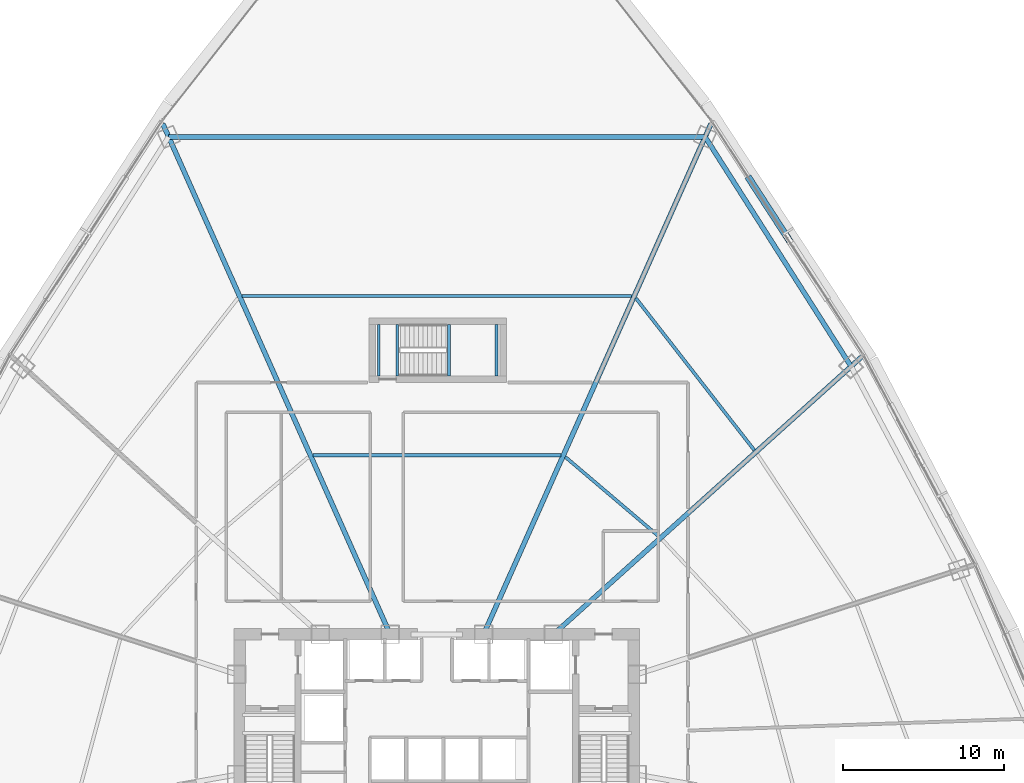
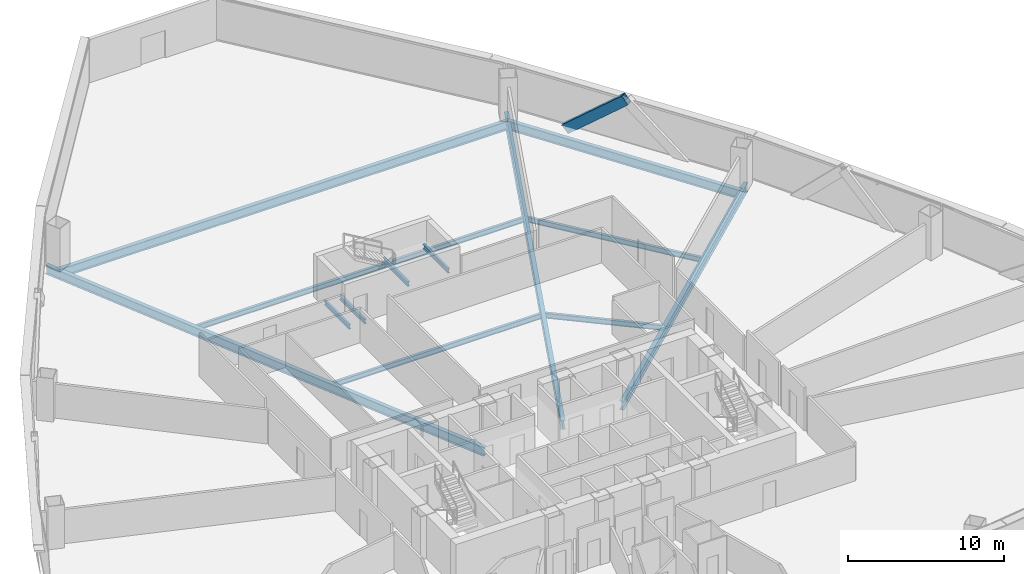
# One storey, part 19 of 40: 13 beams, 1 member.
"""IFC4 building model written with IfcOpenShell, lengths in metres."""

from ifc_helpers import new_model, si_unit, direction, frame, origin, origin_2d, place, context, subcontext, project, spatial, hollow_rectangle, i_section, extrude, source, transform, mapped, material, material_profile, profile_set, type_object, element, save


model = new_model("IFC4")

# Units and contexts
model_context = context("Model", 3, precision=1e-05, world=origin(), true_north=direction((0.0, 1.0)))
body_context = subcontext(model_context, "Body", "Model", "MODEL_VIEW")
ifc_project = project(units=[si_unit("LENGTHUNIT", "METRE"), si_unit("AREAUNIT", "SQUARE_METRE"), si_unit("VOLUMEUNIT", "CUBIC_METRE"), si_unit("PLANEANGLEUNIT", "RADIAN"), si_unit("MASSUNIT", "GRAM", prefix="KILO"), si_unit("THERMODYNAMICTEMPERATUREUNIT", "KELVIN"), si_unit("POWERUNIT", "WATT")], contexts=[model_context])

# Site, building, storey
site_placement = place(None, origin())
site = spatial("IfcSite", under=ifc_project, at=site_placement, CompositionType="ELEMENT")
building_placement = place(site_placement, origin())
building = spatial("IfcBuilding", under=site, at=building_placement, Name="Yunzhuo Pagoda Commons", CompositionType="ELEMENT")
storey_placement = place(building_placement, frame((0.0, 0.0, 66.699951171875)))
storey = spatial("IfcBuildingStorey", under=building, at=storey_placement, Name="L17", CompositionType="ELEMENT", Elevation=66.699951171875)

# Beams
ifc_material_1 = material(Name="Structural steel Q355B", Category="steel")
ifc_material_profile_1 = material_profile(ifc_material_1, i_section(OverallWidth=0.175048828125, OverallDepth=0.35009765625, WebThickness=0.007080078125, FlangeThickness=0.010986328125, at=origin_2d()), Name="Structural steel Q355B")
ifc_profile_set_1 = profile_set([ifc_material_profile_1], Name="Structural steel Q355B")
beam_type_1 = type_object("IfcBeamType", Name="B-JS2 Joist HN 350x175x7x11", PredefinedType="JOIST", material=ifc_profile_set_1)
shared_shape_1 = source(origin(), body_context, "Body", "SweptSolid", [
    extrude(i_section(OverallWidth=0.175048828125, OverallDepth=0.35009765625, WebThickness=0.007080078125, FlangeThickness=0.010986328125, at=origin_2d()), origin(), (0.0, 0.0, 1.0), 3.199951171875),
])
for number, where, z_axis, x_axis, name in (
    (1, (48.75, 56.199951171875, 1.43994140625), (0.0, 1.0, 0.0), (-1.0, 0.0, 0.0), "L17 ST3 landing support beam 21A"),
    (2, (51.699951171875, 56.199951171875, 1.43994140625), (0.0, 1.0, 0.0), (-1.0, 0.0, 0.0), "L17 ST3 landing support beam 21B"),
    (3, (44.39990234375, 56.199951171875, -0.375), (0.0, 1.0, 0.0), (-1.0, 0.0, 0.0), "L17 ST3 landing support beam 91A"),
    (4, (45.550048828125, 56.199951171875, -0.375), (0.0, 1.0, 0.0), (-1.0, 0.0, 0.0), "L17 ST3 landing support beam 91B"),
):
    element("IfcBeam", number, at=place(storey_placement, frame(where, z_axis=z_axis, x_axis=x_axis)), inside=storey, type_object=beam_type_1, Name=name, PredefinedType="JOIST", context=body_context, shape_type="MappedRepresentation", body=[
        mapped(shared_shape_1, transform((0.0, 0.0, 0.0), scale=1.0)),
    ])
ifc_material_profile_2 = material_profile(ifc_material_1, i_section(OverallWidth=0.300048828125, OverallDepth=0.699951171875, WebThickness=0.012939453125, FlangeThickness=0.02392578125, at=origin_2d()), Name="Structural steel Q355B")
ifc_profile_set_2 = profile_set([ifc_material_profile_2], Name="Structural steel Q355B")
beam_type_2 = type_object("IfcBeamType", Name="B-RG1 Beam HN 700x300x13x24", PredefinedType="BEAM", material=ifc_profile_set_2)
shared_shape_2 = source(origin(), body_context, "Body", "SweptSolid", [
    extrude(i_section(OverallWidth=0.300048828125, OverallDepth=0.699951171875, WebThickness=0.012939453125, FlangeThickness=0.02392578125, at=origin_2d()), origin(), (0.0, 0.0, 1.0), 16.843994140625),
])
beam_1_placement = place(storey_placement, frame((73.648681640625, 56.79443359375, -0.60986328125), z_axis=(-0.536558458992, 0.843863152462, 0.0), x_axis=(-0.843863152462, -0.536558458992, 0.0)))
element("IfcBeam", 5, at=beam_1_placement, inside=storey, type_object=beam_type_2, Name="L17 column-ring beam 7", PredefinedType="BEAM", context=body_context, shape_type="MappedRepresentation", body=[
    mapped(shared_shape_2, transform((0.0, 0.0, 0.0), scale=1.0)),
])
shared_shape_3 = source(origin(), body_context, "Body", "SweptSolid", [
    extrude(i_section(OverallWidth=0.300048828125, OverallDepth=0.699951171875, WebThickness=0.012939453125, FlangeThickness=0.02392578125, at=origin_2d()), origin(), (0.0, 0.0, 1.0), 33.2216796875),
])
beam_2_placement = place(storey_placement, frame((64.61083984375, 71.008544921875, -0.60986328125), z_axis=(-1.0, 0.0, 0.0), x_axis=(0.0, -1.0, 0.0)))
element("IfcBeam", 6, at=beam_2_placement, inside=storey, type_object=beam_type_2, Name="L17 column-ring beam 8", PredefinedType="BEAM", context=body_context, shape_type="MappedRepresentation", body=[
    mapped(shared_shape_3, transform((0.0, 0.0, 0.0), scale=1.0)),
])
ifc_material_profile_3 = material_profile(ifc_material_1, i_section(OverallWidth=0.199951171875, OverallDepth=0.39990234375, WebThickness=0.008056640625, FlangeThickness=0.012939453125, at=origin_2d()), Name="Structural steel Q355B")
ifc_profile_set_3 = profile_set([ifc_material_profile_3], Name="Structural steel Q355B")
beam_type_3 = type_object("IfcBeamType", Name="B-JS1 Joist HN 400x200x8x13", PredefinedType="JOIST", material=ifc_profile_set_3)
shared_shape_4 = source(origin(), body_context, "Body", "SweptSolid", [
    extrude(i_section(OverallWidth=0.199951171875, OverallDepth=0.39990234375, WebThickness=0.008056640625, FlangeThickness=0.012939453125, at=origin_2d()), origin(), (0.0, 0.0, 1.0), 7.583984375),
])
beam_3_placement = place(storey_placement, frame((61.732421875, 46.277099609375, -0.4599609375), z_axis=(-0.762037799133, 0.647532541803, 0.0), x_axis=(-0.647532541803, -0.762037799133, 0.0)))
element("IfcBeam", 7, at=beam_3_placement, inside=storey, type_object=beam_type_3, Name="L17 composite ring joist 1.7", PredefinedType="JOIST", context=body_context, shape_type="MappedRepresentation", body=[
    mapped(shared_shape_4, transform((0.0, 0.0, 0.0), scale=1.0)),
])
shared_shape_5 = source(origin(), body_context, "Body", "SweptSolid", [
    extrude(i_section(OverallWidth=0.199951171875, OverallDepth=0.39990234375, WebThickness=0.008056640625, FlangeThickness=0.012939453125, at=origin_2d()), origin(), (0.0, 0.0, 1.0), 11.9345703125),
])
beam_4_placement = place(storey_placement, frame((67.65380859375, 51.609619140625, -0.4599609375), z_axis=(-0.614572048085, 0.788860696012, 0.0), x_axis=(-0.788860696012, -0.614572048085, 0.0)))
element("IfcBeam", 8, at=beam_4_placement, inside=storey, type_object=beam_type_3, Name="L17 composite ring joist 2.7", PredefinedType="JOIST", context=body_context, shape_type="MappedRepresentation", body=[
    mapped(shared_shape_5, transform((0.0, 0.0, 0.0), scale=1.0)),
])
shared_shape_6 = source(origin(), body_context, "Body", "SweptSolid", [
    extrude(i_section(OverallWidth=0.199951171875, OverallDepth=0.39990234375, WebThickness=0.008056640625, FlangeThickness=0.012939453125, at=origin_2d()), origin(), (0.0, 0.0, 1.0), 15.34619140625),
])
beam_5_placement = place(storey_placement, frame((55.673095703125, 51.291015625, -0.4599609375), z_axis=(-1.0, 0.0, 0.0), x_axis=(0.0, -1.0, 0.0)))
element("IfcBeam", 9, at=beam_5_placement, inside=storey, type_object=beam_type_3, Name="L17 composite ring joist 1.8", PredefinedType="JOIST", context=body_context, shape_type="MappedRepresentation", body=[
    mapped(shared_shape_6, transform((0.0, 0.0, 0.0), scale=1.0)),
])
shared_shape_7 = source(origin(), body_context, "Body", "SweptSolid", [
    extrude(i_section(OverallWidth=0.199951171875, OverallDepth=0.39990234375, WebThickness=0.008056640625, FlangeThickness=0.012939453125, at=origin_2d()), origin(), (0.0, 0.0, 1.0), 24.125),
])
beam_6_placement = place(storey_placement, frame((60.0625, 61.14990234375, -0.4599609375), z_axis=(-1.0, 0.0, 0.0), x_axis=(0.0, -1.0, 0.0)))
element("IfcBeam", 10, at=beam_6_placement, inside=storey, type_object=beam_type_3, Name="L17 composite ring joist 2.8", PredefinedType="JOIST", context=body_context, shape_type="MappedRepresentation", body=[
    mapped(shared_shape_7, transform((0.0, 0.0, 0.0), scale=1.0)),
])
shared_shape_8 = source(origin(), body_context, "Body", "SweptSolid", [
    extrude(i_section(OverallWidth=0.300048828125, OverallDepth=0.699951171875, WebThickness=0.012939453125, FlangeThickness=0.02392578125, at=origin_2d()), origin(), (0.0, 0.0, 1.0), 25.694580078125),
])
beam_7_placement = place(storey_placement, frame((74.313720703125, 57.39306640625, -0.60986328125), z_axis=(-0.743141995852, -0.669133748963, 0.0), x_axis=(0.669133748963, -0.743141995852, 0.0)))
element("IfcBeam", 11, at=beam_7_placement, inside=storey, type_object=beam_type_2, Name="L17 radial floor girder F2C3", PredefinedType="BEAM", context=body_context, shape_type="MappedRepresentation", body=[
    mapped(shared_shape_8, transform((0.0, 0.0, 0.0), scale=1.0)),
])
shared_shape_9 = source(origin(), body_context, "Body", "SweptSolid", [
    extrude(i_section(OverallWidth=0.300048828125, OverallDepth=0.699951171875, WebThickness=0.012939453125, FlangeThickness=0.02392578125, at=origin_2d()), origin(), (0.0, 0.0, 1.0), 34.619384765625),
])
beam_8_placement = place(storey_placement, frame((64.97509765625, 71.826171875, -0.60986328125), z_axis=(-0.406740356088, -0.913543804494, 0.0), x_axis=(0.913543804494, -0.406740356088, 0.0)))
element("IfcBeam", 12, at=beam_8_placement, inside=storey, type_object=beam_type_2, Name="L17 radial floor girder F2C4", PredefinedType="BEAM", context=body_context, shape_type="MappedRepresentation", body=[
    mapped(shared_shape_9, transform((0.0, 0.0, 0.0), scale=1.0)),
])
shared_shape_10 = source(origin(), body_context, "Body", "SweptSolid", [
    extrude(i_section(OverallWidth=0.300048828125, OverallDepth=0.699951171875, WebThickness=0.012939453125, FlangeThickness=0.02392578125, at=origin_2d()), origin(), (0.0, 0.0, 1.0), 34.619140625),
])
beam_9_placement = place(storey_placement, frame((31.025390625, 71.826171875, -0.60986328125), z_axis=(0.406728585054, -0.913549045263, 0.0), x_axis=(0.913549045263, 0.406728585054, 0.0)))
element("IfcBeam", 13, at=beam_9_placement, inside=storey, type_object=beam_type_2, Name="L17 radial floor girder F3C1", PredefinedType="BEAM", context=body_context, shape_type="MappedRepresentation", body=[
    mapped(shared_shape_10, transform((0.0, 0.0, 0.0), scale=1.0)),
])

# Member
ifc_material_2 = material(Name="Structural steel Q420B", Category="steel")
ifc_material_profile_4 = material_profile(ifc_material_2, hollow_rectangle(XDim=0.419921875, YDim=0.719970703125, WallThickness=0.028076171875, at=origin_2d()), Name="Structural steel Q420B")
ifc_profile_set_4 = profile_set([ifc_material_profile_4], Name="Structural steel Q420B")
member_type = type_object("IfcMemberType", Name="M-DL1 Brace BOX 720x420x28", PredefinedType="BRACE", material=ifc_profile_set_4)
shared_shape_11 = source(origin(), body_context, "Body", "SweptSolid", [
    extrude(hollow_rectangle(XDim=0.419921875, YDim=0.719970703125, WallThickness=0.028076171875, at=origin_2d()), origin(), (0.0, 0.0, 1.0), 5.63720703125),
])
member_placement = place(storey_placement, frame((67.3857421875, 68.35009765625, -0.260009765625), z_axis=(0.416453717231, -0.641787399714, 0.643952820456), x_axis=(0.83886627845, 0.544337548659, 0.0)))
element("IfcMember", 14, at=member_placement, inside=storey, type_object=member_type, Name="L17 facade diamond brace F2.3R", PredefinedType="BRACE", context=body_context, shape_type="MappedRepresentation", body=[
    mapped(shared_shape_11, transform((0.0, 0.0, 0.0), scale=1.0)),
])

save(model, "model.ifc")
